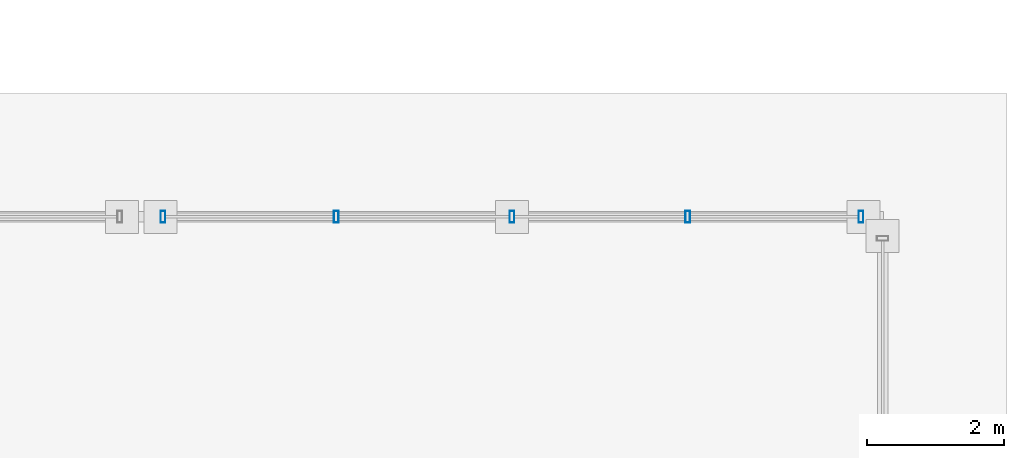
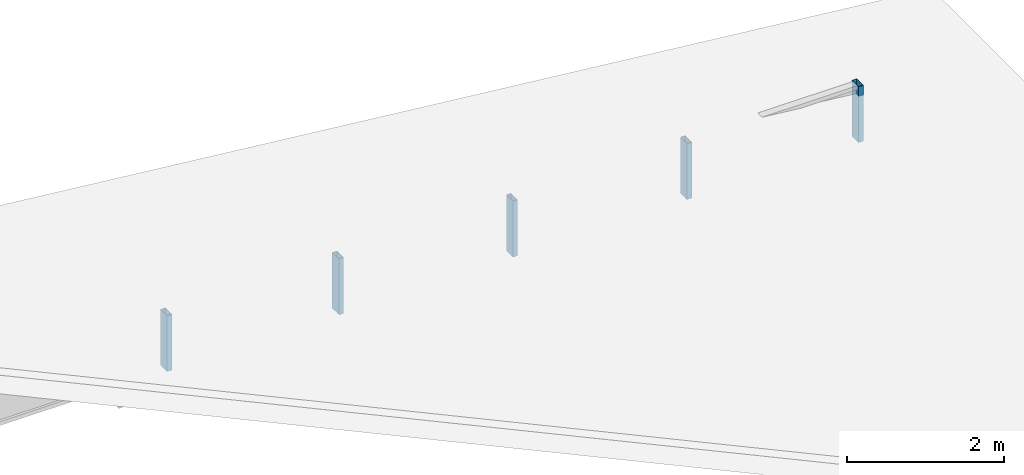
# One storey, part 82 of 117: 5 members, 1 element without a shape of its own.
"""IFC4 building model written with IfcOpenShell, lengths in metres."""

from ifc_helpers import new_model, si_unit, direction, frame, origin, origin_2d, place, context, subcontext, project, spatial, hollow_rectangle, extrude, material, material_profile, profile_set, type_object, element, aggregate, save


model = new_model("IFC4")

# Units and contexts
model_context = context("Model", 3, precision=1e-05, world=origin(), true_north=direction((0.0, 1.0)))
body_context = subcontext(model_context, "Body", "Model", "MODEL_VIEW")
ifc_project = project(units=[si_unit("LENGTHUNIT", "METRE"), si_unit("AREAUNIT", "SQUARE_METRE"), si_unit("VOLUMEUNIT", "CUBIC_METRE"), si_unit("PLANEANGLEUNIT", "RADIAN"), si_unit("MASSUNIT", "GRAM", prefix="KILO")], contexts=[model_context])

# Site, building, storey
site_placement = place(None, origin())
site = spatial("IfcSite", under=ifc_project, at=site_placement, CompositionType="ELEMENT")
building_placement = place(site_placement, origin())
building = spatial("IfcBuilding", under=site, at=building_placement, Name="Merenkruunu Market Hall", CompositionType="ELEMENT")
storey_placement = place(building_placement, frame((0.0, 0.0, 22.800048828125)))
storey = spatial("IfcBuildingStorey", under=building, at=storey_placement, Name="RF", CompositionType="ELEMENT", Elevation=22.800048828125)

# Curtain wall, members
ifc_material = material(Name="Powder-coated aluminium", Category="aluminium")
curtain_wall_type = type_object("IfcCurtainWallType", Name="Clerestory Curtain Band CL03", PredefinedType="USERDEFINED", material=ifc_material)
curtain_wall_placement = place(storey_placement, origin())
curtain_wall = element("IfcCurtainWall", 1, at=curtain_wall_placement, inside=storey, type_object=curtain_wall_type, Name="CW-RF-CWM04-247", ObjectType="CLERESTORY_BAND", PredefinedType="USERDEFINED")
ifc_material_profile = material_profile(ifc_material, hollow_rectangle(XDim=0.070068359375, YDim=0.169921875, WallThickness=0.0048828125, at=origin_2d()), Name="ALU 70x170x5")
ifc_profile_set = profile_set([ifc_material_profile], Name="Powder-coated aluminium")
member_type = type_object("IfcMemberType", Name="Curtain Wall Mullion CWM04", PredefinedType="MULLION", material=ifc_profile_set)
member_1_placement = place(storey_placement, frame((181.514892578125, 27.60009765625, -1.719970703125), z_axis=(0.0, 0.0, 1.0), x_axis=(1.0, 0.0, 0.0)))
member_1 = element("IfcMember", 2, at=member_1_placement, type_object=member_type, Name="CL03 mullion 1", PredefinedType="MULLION", context=body_context, shape_type="SweptSolid", body=[
    extrude(hollow_rectangle(XDim=0.070068359375, YDim=0.169921875, WallThickness=0.0048828125, at=origin_2d()), origin(), (0.0, 0.0, 1.0), 0.869873046875),
])
member_2_placement = place(storey_placement, frame((184.0400390625, 27.60009765625, -1.719970703125), z_axis=(0.0, 0.0, 1.0), x_axis=(1.0, 0.0, 0.0)))
member_2 = element("IfcMember", 3, at=member_2_placement, type_object=member_type, Name="CL03 mullion 2", PredefinedType="MULLION", context=body_context, shape_type="SweptSolid", body=[
    extrude(hollow_rectangle(XDim=0.070068359375, YDim=0.169921875, WallThickness=0.0048828125, at=origin_2d()), origin(), (0.0, 0.0, 1.0), 0.869873046875),
])
member_3_placement = place(storey_placement, frame((186.60009765625, 27.60009765625, -1.719970703125), z_axis=(0.0, 0.0, 1.0), x_axis=(1.0, 0.0, 0.0)))
member_3 = element("IfcMember", 4, at=member_3_placement, type_object=member_type, Name="CL03 mullion 3", PredefinedType="MULLION", context=body_context, shape_type="SweptSolid", body=[
    extrude(hollow_rectangle(XDim=0.070068359375, YDim=0.169921875, WallThickness=0.0048828125, at=origin_2d()), origin(), (0.0, 0.0, 1.0), 0.869873046875),
])
member_4_placement = place(storey_placement, frame((189.159912109375, 27.60009765625, -1.719970703125), z_axis=(0.0, 0.0, 1.0), x_axis=(1.0, 0.0, 0.0)))
member_4 = element("IfcMember", 5, at=member_4_placement, type_object=member_type, Name="CL03 mullion 4", PredefinedType="MULLION", context=body_context, shape_type="SweptSolid", body=[
    extrude(hollow_rectangle(XDim=0.070068359375, YDim=0.169921875, WallThickness=0.0048828125, at=origin_2d()), origin(), (0.0, 0.0, 1.0), 0.869873046875),
])
member_5_placement = place(storey_placement, frame((191.68505859375, 27.60009765625, -1.719970703125), z_axis=(0.0, 0.0, 1.0), x_axis=(1.0, 0.0, 0.0)))
member_5 = element("IfcMember", 6, at=member_5_placement, type_object=member_type, Name="CL03 mullion 5", PredefinedType="MULLION", context=body_context, shape_type="SweptSolid", body=[
    extrude(hollow_rectangle(XDim=0.070068359375, YDim=0.169921875, WallThickness=0.0048828125, at=origin_2d()), origin(), (0.0, 0.0, 1.0), 0.869873046875),
])
aggregate(curtain_wall, [member_1, member_2, member_3, member_4, member_5])

save(model, "model.ifc")
